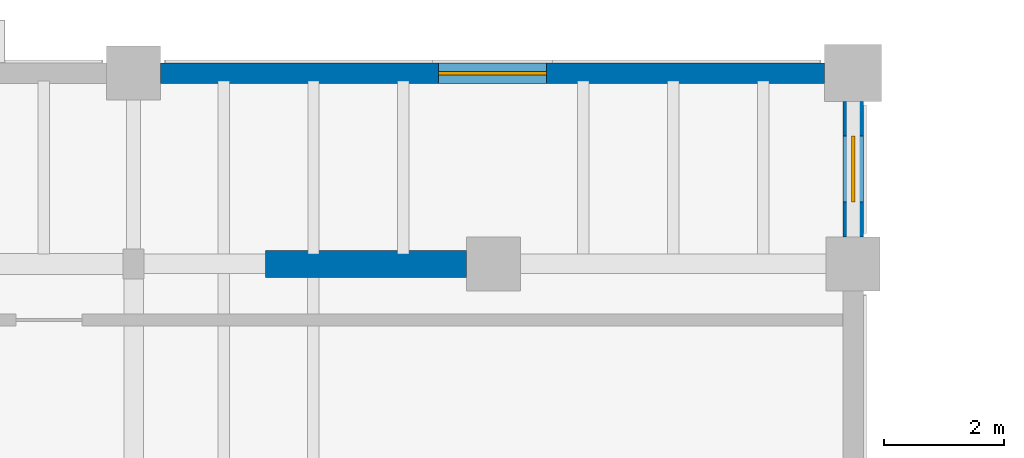
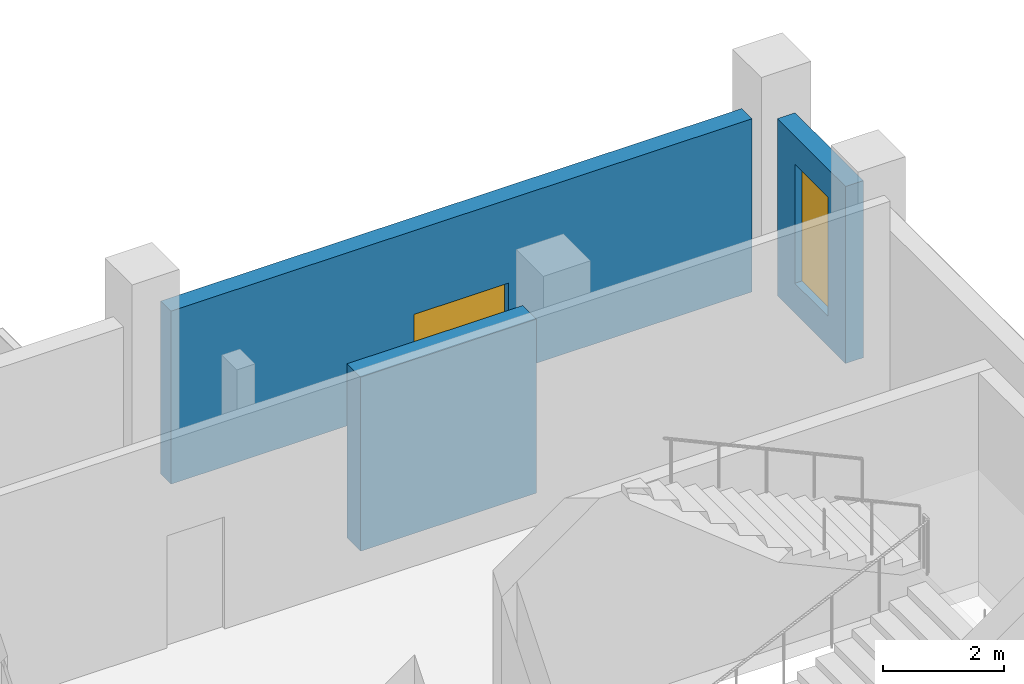
# One storey, part 94 of 114: 3 walls, 2 windows, 2 openings.
"""IFC4 building model written with IfcOpenShell, lengths in metres."""

from ifc_helpers import new_model, si_unit, direction, frame, frame_2d, origin, place, context, subcontext, project, spatial, rectangle, extrude, material, layer, layer_set, type_object, element, fill, save


model = new_model("IFC4")

# Units and contexts
model_context = context("Model", 3, precision=1e-05, world=origin(), true_north=direction((0.0, 1.0)))
body_context = subcontext(model_context, "Body", "Model", "MODEL_VIEW")
ifc_project = project(units=[si_unit("LENGTHUNIT", "METRE"), si_unit("AREAUNIT", "SQUARE_METRE"), si_unit("VOLUMEUNIT", "CUBIC_METRE"), si_unit("PLANEANGLEUNIT", "RADIAN"), si_unit("MASSUNIT", "GRAM", prefix="KILO")], contexts=[model_context])

# Site, building, storey
site_placement = place(None, origin())
site = spatial("IfcSite", under=ifc_project, at=site_placement, CompositionType="ELEMENT")
building_placement = place(site_placement, origin())
building = spatial("IfcBuilding", under=site, at=building_placement, Name="Kelmvaro Bay Concert Hall", CompositionType="ELEMENT")
storey_placement = place(building_placement, frame((0.0, 0.0, 4.800048828125)))
storey = spatial("IfcBuildingStorey", under=building, at=storey_placement, Name="L01", CompositionType="ELEMENT", Elevation=4.800048828125)

# Wall, opening, window
ifc_material_1 = material(Name="Precast Concrete C40/50", Category="concrete")
ifc_layer_1 = layer(ifc_material_1, 0.340087890625)
ifc_layer_set_1 = layer_set([ifc_layer_1], Name="Precast Concrete C40/50")
wall_type_1 = type_object("IfcWallType", Name="Main Hall Faceted Precast Wall 340", PredefinedType="SOLIDWALL", material=ifc_layer_set_1)
wall_1_placement = place(storey_placement, frame((48.449951171875, 114.0, 0.0), z_axis=(0.0, 0.0, 1.0), x_axis=(1.0, 0.0, 0.0)))
wall_1 = element("IfcWall", 1, at=wall_1_placement, inside=storey, type_object=wall_type_1, Name="L01 Exterior Wall EW-L01-0020", PredefinedType="SOLIDWALL", context=body_context, shape_type="SweptSolid", body=[
    extrude(rectangle(XDim=11.074951171875, YDim=0.340087890625, at=frame_2d((5.53759765625, 0.0))), origin(), (0.0, 0.0, 1.0), 3.487060546875),
])
opening_1_placement = place(wall_1_placement, frame((4.637451171875, 0.0, 0.85009765625)))
opening_1 = element("IfcOpeningElement", 2, at=opening_1_placement, cuts=wall_1, Name="Opening WN-10", PredefinedType="OPENING", context=body_context, shape_type="SweptSolid", body=[
    extrude(rectangle(XDim=1.800048828125, YDim=0.949951171875, at=frame_2d((0.89990234375, 0.47509765625))), frame((0.0, 0.179931640625, 0.0), z_axis=(0.0, -1.0, 0.0), x_axis=(1.0, 0.0, 0.0)), (0.0, 0.0, 1.0), 0.360107421875),
])
ifc_material_2 = material(Name="Thermally Broken Aluminium and Acoustic Low-E Glass", Category="aluminium")
window_type_1 = type_object("IfcWindowType", Name="Archive Clerestory Window 1800x950", PartitioningType="SINGLE_PANEL", PredefinedType="WINDOW", material=ifc_material_2)
window_1_placement = place(opening_1_placement, origin())
window_1 = element("IfcWindow", 3, at=window_1_placement, inside=storey, type_object=window_type_1, Name="L01 Facade Window WN-L01-0010", OverallHeight=0.949951171875, OverallWidth=1.800048828125, PartitioningType="SINGLE_PANEL", PredefinedType="WINDOW", context=body_context, shape_type="SweptSolid", body=[
    extrude(rectangle(XDim=1.800048828125, YDim=0.949951171875, at=frame_2d((0.89990234375, 0.47509765625))), frame((0.0, 0.030029296875, 0.0), z_axis=(0.0, -1.0, 0.0), x_axis=(1.0, 0.0, 0.0)), (0.0, 0.0, 1.0), 0.06005859375),
])
fill(opening_1, window_1)

wall_2_placement = place(storey_placement, frame((60.0, 113.52490234375, 0.0), z_axis=(0.0, 0.0, 1.0), x_axis=(0.0, -1.0, 0.0)))
wall_2 = element("IfcWall", 4, at=wall_2_placement, inside=storey, type_object=wall_type_1, Name="L01 Exterior Wall EW-L01-0029", PredefinedType="SOLIDWALL", context=body_context, shape_type="SweptSolid", body=[
    extrude(rectangle(XDim=2.2548828125, YDim=0.340087890625, at=frame_2d((1.12744140625, 0.0))), origin(), (0.0, 0.0, 1.0), 3.56787109375),
])
opening_2_placement = place(wall_2_placement, frame((0.577392578125, 0.0, 0.60009765625)))
opening_2 = element("IfcOpeningElement", 5, at=opening_2_placement, cuts=wall_2, Name="Opening WN-14", PredefinedType="OPENING", context=body_context, shape_type="SweptSolid", body=[
    extrude(rectangle(XDim=1.10009765625, YDim=2.39990234375, at=frame_2d((0.550048828125, 1.199951171875))), frame((0.0, 0.179931640625, 0.0), z_axis=(0.0, -1.0, 0.0), x_axis=(1.0, 0.0, 0.0)), (0.0, 0.0, 1.0), 0.360107421875),
])
ifc_material_3 = material(Name="Thermally Broken Aluminium and Acoustic Low-E Glass", Category="aluminium")
window_type_2 = type_object("IfcWindowType", Name="Salon Vertical Slot Window 1100x2400", PartitioningType="SINGLE_PANEL", PredefinedType="WINDOW", material=ifc_material_3)
window_2_placement = place(opening_2_placement, origin())
window_2 = element("IfcWindow", 6, at=window_2_placement, inside=storey, type_object=window_type_2, Name="L01 Facade Window WN-L01-0015", OverallHeight=2.39990234375, OverallWidth=1.10009765625, PartitioningType="SINGLE_PANEL", PredefinedType="WINDOW", context=body_context, shape_type="SweptSolid", body=[
    extrude(rectangle(XDim=1.10009765625, YDim=2.39990234375, at=frame_2d((0.550048828125, 1.199951171875))), frame((0.0, 0.030029296875, 0.0), z_axis=(0.0, -1.0, 0.0), x_axis=(1.0, 0.0, 0.0)), (0.0, 0.0, 1.0), 0.06005859375),
])
fill(opening_2, window_2)

# Wall
ifc_material_4 = material(Name="Concrete C40/50", Category="concrete")
ifc_layer_2 = layer(ifc_material_4, 0.449951171875)
ifc_layer_set_2 = layer_set([ifc_layer_2], Name="Concrete C40/50")
wall_type_2 = type_object("IfcWallType", Name="Outer Acoustic Box Shear Wall 450", PredefinedType="SHEAR", material=ifc_layer_set_2)
wall_3_placement = place(storey_placement, frame((50.199951171875, 110.820068359375, 0.0), z_axis=(0.0, 0.0, 1.0), x_axis=(1.0, 0.0, 0.0)))
element("IfcWall", 7, at=wall_3_placement, inside=storey, type_object=wall_type_2, Name="L01 Shell Springing Shear Wall N4", PredefinedType="SHEAR", context=body_context, shape_type="SweptSolid", body=[
    extrude(rectangle(XDim=3.35009765625, YDim=0.449951171875, at=frame_2d((1.675048828125, 0.0))), origin(), (0.0, 0.0, 1.0), 3.5048828125),
])

save(model, "model.ifc")
